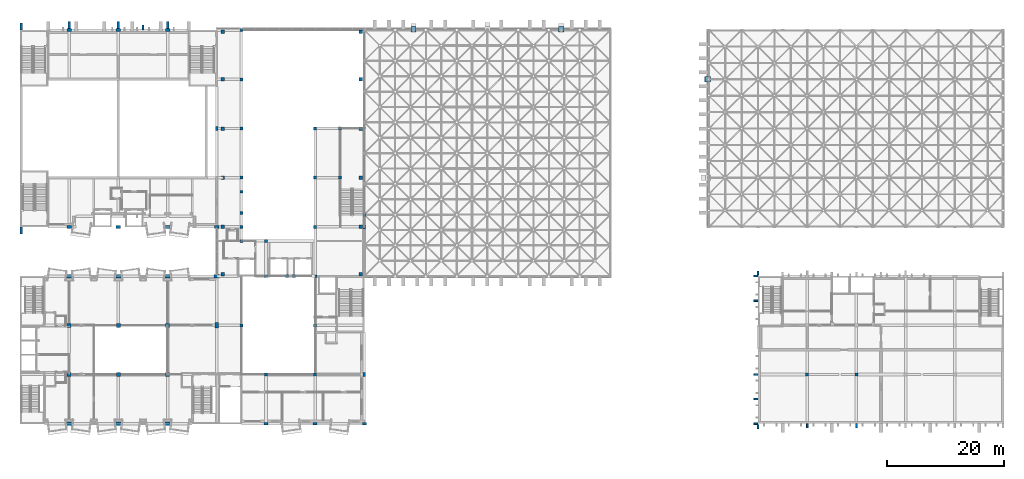
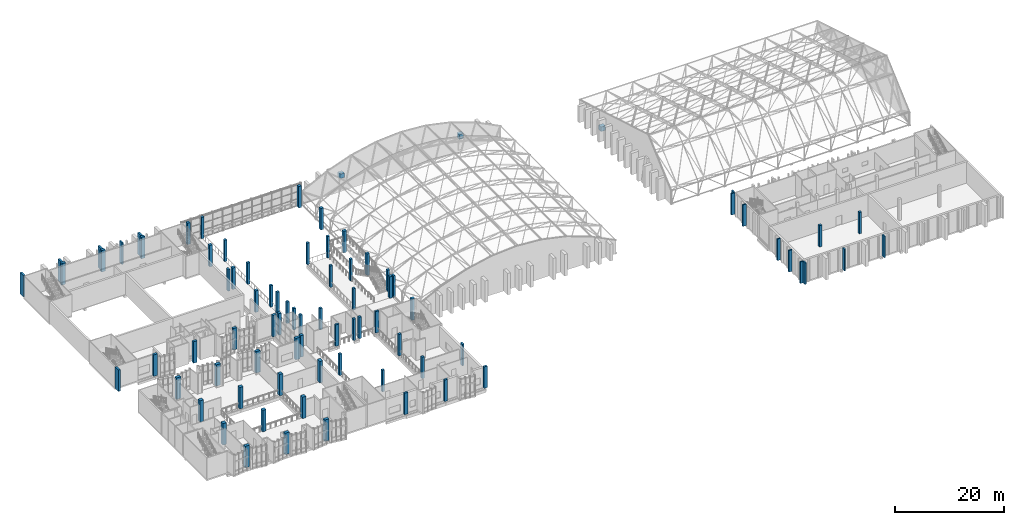
# One storey, part 1 of 100: 82 columns.
"""IFC4 building model written with IfcOpenShell, lengths in metres."""

from ifc_helpers import new_model, si_unit, direction, frame, origin, origin_2d, place, context, subcontext, project, spatial, rectangle, extrude, material, material_profile, profile_set, type_object, element, save


model = new_model("IFC4")

# Units and contexts
model_context = context("Model", 3, precision=1e-05, world=origin(), true_north=direction((0.0, 1.0)))
body_context = subcontext(model_context, "Body", "Model", "MODEL_VIEW")
ifc_project = project(units=[si_unit("LENGTHUNIT", "METRE"), si_unit("AREAUNIT", "SQUARE_METRE"), si_unit("VOLUMEUNIT", "CUBIC_METRE"), si_unit("PLANEANGLEUNIT", "RADIAN"), si_unit("MASSUNIT", "GRAM", prefix="KILO")], contexts=[model_context])

# Site, building, storey
site_placement = place(None, origin())
site = spatial("IfcSite", under=ifc_project, at=site_placement, CompositionType="ELEMENT")
building_placement = place(site_placement, origin())
building = spatial("IfcBuilding", under=site, at=building_placement, Name="Kiln Court Media Centre", CompositionType="ELEMENT")
storey_placement = place(building_placement, frame((0.0, 0.0, 15.0)))
storey = spatial("IfcBuildingStorey", under=building, at=storey_placement, Name="L03", CompositionType="ELEMENT", Elevation=15.0)

# Columns
ifc_material_1 = material(Name="Concrete C40/50", Category="concrete")
ifc_material_profile_1 = material_profile(ifc_material_1, rectangle(XDim=0.5, YDim=0.5, at=origin_2d()), Name="RC 500x500")
ifc_profile_set_1 = profile_set([ifc_material_profile_1], Name="Concrete C40/50")
column_type_1 = type_object("IfcColumnType", Name="Concrete C40/50 column 500x500", PredefinedType="COLUMN", material=ifc_profile_set_1)
for number, where, z_axis, x_axis, name in (
    (1, (42.0, 8.39990234375, 0.0), (0.0, 0.0, 1.0), (1.0, 0.0, 0.0), "L03-C-1015"),
    (2, (50.39990234375, 8.39990234375, 0.0), (0.0, 0.0, 1.0), (1.0, 0.0, 0.0), "L03-C-1017"),
    (3, (50.39990234375, 16.800048828125, 0.0), (0.0, 0.0, 1.0), (1.0, 0.0, 0.0), "L03-C-1018"),
    (4, (50.39990234375, 33.60009765625, 0.0), (0.0, 0.0, 1.0), (1.0, 0.0, 0.0), "L03-C-1031"),
    (5, (50.39990234375, 42.0, 0.0), (0.0, 0.0, 1.0), (1.0, 0.0, 0.0), "L03-C-1032"),
    (6, (50.39990234375, 50.39990234375, 0.0), (0.0, 0.0, 1.0), (1.0, 0.0, 0.0), "L03-C-1033"),
    (7, (134.39990234375, 8.39990234375, 0.0), (0.0, 0.0, 1.0), (1.0, 0.0, 0.0), "L03-C-1035"),
    (8, (142.800048828125, 8.39990234375, 0.0), (0.0, 0.0, 1.0), (1.0, 0.0, 0.0), "L03-C-1038"),
    (9, (58.800048828125, 35.64111328125, 0.0), (0.0, 0.0, 1.0), (1.0, 0.0, 0.0), "L03-C-1061"),
    (10, (37.801025390625, 16.800048828125, 0.0), (0.0, 0.0, 1.0), (1.0, 0.0, 0.0), "L03-C-1064"),
    (11, (37.800048828125, 36.0, 0.0), (0.0, 0.0, 1.0), (1.0, 0.0, 0.0), "L03-C-1065"),
    (12, (37.800048828125, 39.60009765625, 0.0), (0.0, 0.0, 1.0), (1.0, 0.0, 0.0), "L03-C-1066"),
    (13, (45.59912109375, 25.199951171875, 0.0), (0.0, 0.0, 1.0), (1.0, 0.0, 0.0), "L03-C-1067"),
    (14, (46.801025390625, 25.199951171875, 0.0), (0.0, 0.0, 1.0), (1.0, 0.0, 0.0), "L03-C-1068"),
    (15, (37.800048828125, 31.199951171875, 0.0), (0.0, 0.0, 1.0), (1.0, 0.0, 0.0), "L03-C-1069"),
    (16, (37.800048828125, 67.199951171875, 0.0), (0.0, 0.0, 1.0), (1.0, 0.0, 0.0), "L03-C-1070"),
    (17, (37.801025390625, 33.60009765625, 0.0), (0.0, 0.0, 1.0), (1.0, 0.0, 0.0), "L03-C-1071"),
    (18, (37.801025390625, 42.0, 0.0), (0.0, 0.0, 1.0), (1.0, 0.0, 0.0), "L03-C-1072"),
    (19, (37.801025390625, 50.39990234375, 0.0), (0.0, 0.0, 1.0), (1.0, 0.0, 0.0), "L03-C-1073"),
    (20, (37.801025390625, 58.800048828125, 0.0), (0.0, 0.0, 1.0), (1.0, 0.0, 0.0), "L03-C-1074"),
    (21, (42.0, 31.200927734375, 0.0), (0.0, 0.0, 1.0), (1.0, 0.0, 0.0), "L03-C-1075"),
    (22, (54.65087890625, 42.0, 0.0), (0.0, 0.0, 1.0), (1.0, 0.0, 0.0), "L03-C-1076"),
    (23, (54.65087890625, 50.39990234375, 0.0), (0.0, 0.0, 1.0), (1.0, 0.0, 0.0), "L03-C-1077"),
):
    element("IfcColumn", number, at=place(storey_placement, frame(where, z_axis=z_axis, x_axis=x_axis)), inside=storey, type_object=column_type_1, Name=name, PredefinedType="COLUMN", context=body_context, shape_type="SweptSolid", body=[
        extrude(rectangle(XDim=0.5, YDim=0.5, at=origin_2d()), origin(), (0.0, 0.0, 1.0), 4.800048828125),
    ])
ifc_material_2 = material(Name="Concrete C40/50", Category="concrete")
ifc_material_profile_2 = material_profile(ifc_material_2, rectangle(XDim=0.60009765625, YDim=0.60009765625, at=origin_2d()), Name="RC 600x600")
ifc_profile_set_2 = profile_set([ifc_material_profile_2], Name="Concrete C40/50")
column_type_2 = type_object("IfcColumnType", Name="Concrete C40/50 column 600x600", PredefinedType="COLUMN", material=ifc_profile_set_2)
for number, where, z_axis, x_axis, name in (
    (24, (34.64990234375, 25.5, 0.0), (0.0, 0.0, 1.0), (1.0, 0.0, 0.0), "L03-C-1046"),
    (25, (34.64990234375, 33.60009765625, 0.0), (0.0, 0.0, 1.0), (1.0, 0.0, 0.0), "L03-C-1047"),
    (26, (34.64990234375, 42.0, 0.0), (0.0, 0.0, 1.0), (1.0, 0.0, 0.0), "L03-C-1048"),
    (27, (34.64990234375, 50.39990234375, 0.0), (0.0, 0.0, 1.0), (1.0, 0.0, 0.0), "L03-C-1049"),
    (28, (34.64990234375, 58.800048828125, 0.0), (0.0, 0.0, 1.0), (1.0, 0.0, 0.0), "L03-C-1050"),
    (29, (34.64990234375, 66.89990234375, 0.0), (0.0, 0.0, 1.0), (1.0, 0.0, 0.0), "L03-C-1051"),
    (30, (58.14990234375, 25.5, 0.0), (0.0, 0.0, 1.0), (1.0, 0.0, 0.0), "L03-C-1052"),
    (31, (58.14990234375, 33.60009765625, 0.0), (0.0, 0.0, 1.0), (1.0, 0.0, 0.0), "L03-C-1053"),
    (32, (58.14990234375, 42.0, 0.0), (0.0, 0.0, 1.0), (1.0, 0.0, 0.0), "L03-C-1054"),
    (33, (58.14990234375, 50.39990234375, 0.0), (0.0, 0.0, 1.0), (1.0, 0.0, 0.0), "L03-C-1055"),
    (34, (58.14990234375, 58.800048828125, 0.0), (0.0, 0.0, 1.0), (1.0, 0.0, 0.0), "L03-C-1056"),
    (35, (58.14990234375, 66.89990234375, 0.0), (0.0, 0.0, 1.0), (1.0, 0.0, 0.0), "L03-C-1057"),
):
    element("IfcColumn", number, at=place(storey_placement, frame(where, z_axis=z_axis, x_axis=x_axis)), inside=storey, type_object=column_type_2, Name=name, PredefinedType="COLUMN", context=body_context, shape_type="SweptSolid", body=[
        extrude(rectangle(XDim=0.60009765625, YDim=0.60009765625, at=origin_2d()), origin(), (0.0, 0.0, 1.0), 4.800048828125),
    ])
ifc_material_3 = material(Name="Concrete C40/50", Category="concrete")
ifc_material_profile_3 = material_profile(ifc_material_3, rectangle(XDim=0.699951171875, YDim=0.39990234375, at=origin_2d()), Name="RC 700x400")
ifc_profile_set_3 = profile_set([ifc_material_profile_3], Name="Concrete C40/50")
column_type_3 = type_object("IfcColumnType", Name="Concrete C40/50 column 700x400", PredefinedType="COLUMN", material=ifc_profile_set_3)
for number, where, z_axis, x_axis, name in (
    (36, (42.0, 0.0, 0.0), (0.0, 0.0, 1.0), (1.0, 0.0, 0.0), "L03-C-1014"),
    (37, (50.39990234375, 0.0, 0.0), (0.0, 0.0, 1.0), (1.0, 0.0, 0.0), "L03-C-1016"),
    (38, (50.39990234375, 25.199951171875, 0.0), (0.0, 0.0, 1.0), (1.0, 0.0, 0.0), "L03-C-1019"),
    (39, (58.800048828125, 0.0, 0.0), (0.0, 0.0, 1.0), (1.0, 0.0, 0.0), "L03-C-1020"),
    (40, (58.800048828125, 8.39990234375, 0.0), (0.0, 0.0, 1.0), (0.0, 1.0, 0.0), "L03-C-1021"),
    (41, (33.60009765625, 50.39990234375, 0.0), (0.0, 0.0, 1.0), (0.0, 1.0, 0.0), "L03-C-1029"),
    (42, (42.0, 25.199951171875, 0.0), (0.0, 0.0, 1.0), (1.0, 0.0, 0.0), "L03-C-1030"),
    (43, (58.800048828125, 33.60009765625, 0.0), (0.0, 0.0, 1.0), (0.0, 1.0, 0.0), "L03-C-1034"),
):
    element("IfcColumn", number, at=place(storey_placement, frame(where, z_axis=z_axis, x_axis=x_axis)), inside=storey, type_object=column_type_3, Name=name, PredefinedType="COLUMN", context=body_context, shape_type="SweptSolid", body=[
        extrude(rectangle(XDim=0.699951171875, YDim=0.39990234375, at=origin_2d()), origin(), (0.0, 0.0, 1.0), 4.800048828125),
    ])
ifc_material_4 = material(Name="Concrete C40/50", Category="concrete")
ifc_material_profile_4 = material_profile(ifc_material_4, rectangle(XDim=0.699951171875, YDim=0.699951171875, at=origin_2d()), Name="RC 700x700")
ifc_profile_set_4 = profile_set([ifc_material_profile_4], Name="Concrete C40/50")
column_type_4 = type_object("IfcColumnType", Name="Concrete C40/50 column 700x700", PredefinedType="COLUMN", material=ifc_profile_set_4)
for number, where, z_axis, x_axis, name in (
    (44, (8.39990234375, 8.39990234375, 0.0), (0.0, 0.0, 1.0), (1.0, 0.0, 0.0), "L03-C-1001"),
    (45, (8.39990234375, 16.800048828125, 0.0), (0.0, 0.0, 1.0), (1.0, 0.0, 0.0), "L03-C-1002"),
    (46, (16.800048828125, 8.39990234375, 0.0), (0.0, 0.0, 1.0), (1.0, 0.0, 0.0), "L03-C-1005"),
    (47, (16.800048828125, 16.800048828125, 0.0), (0.0, 0.0, 1.0), (1.0, 0.0, 0.0), "L03-C-1006"),
    (48, (25.199951171875, 8.39990234375, 0.0), (0.0, 0.0, 1.0), (1.0, 0.0, 0.0), "L03-C-1009"),
    (49, (25.199951171875, 16.800048828125, 0.0), (0.0, 0.0, 1.0), (1.0, 0.0, 0.0), "L03-C-1010"),
):
    element("IfcColumn", number, at=place(storey_placement, frame(where, z_axis=z_axis, x_axis=x_axis)), inside=storey, type_object=column_type_4, Name=name, PredefinedType="COLUMN", context=body_context, shape_type="SweptSolid", body=[
        extrude(rectangle(XDim=0.699951171875, YDim=0.699951171875, at=origin_2d()), origin(), (0.0, 0.0, 1.0), 4.800048828125),
    ])
ifc_material_5 = material(Name="Concrete C40/50", Category="concrete")
ifc_material_profile_5 = material_profile(ifc_material_5, rectangle(XDim=0.800048828125, YDim=0.5, at=origin_2d()), Name="RC 800x500")
ifc_profile_set_5 = profile_set([ifc_material_profile_5], Name="Concrete C40/50")
column_type_5 = type_object("IfcColumnType", Name="Concrete C40/50 column 800x500", PredefinedType="COLUMN", material=ifc_profile_set_5)
for number, where, z_axis, x_axis, name in (
    (50, (8.39990234375, 33.60009765625, 0.0), (0.0, 0.0, 1.0), (1.0, 0.0, 0.0), "L03-C-1022"),
    (51, (8.39990234375, 67.199951171875, 0.0), (0.0, 0.0, 1.0), (1.0, 0.0, 0.0), "L03-C-1023"),
    (52, (16.800048828125, 33.60009765625, 0.0), (0.0, 0.0, 1.0), (1.0, 0.0, 0.0), "L03-C-1024"),
    (53, (16.800048828125, 67.199951171875, 0.0), (0.0, 0.0, 1.0), (1.0, 0.0, 0.0), "L03-C-1025"),
    (54, (25.199951171875, 33.60009765625, 0.0), (0.0, 0.0, 1.0), (1.0, 0.0, 0.0), "L03-C-1026"),
    (55, (25.199951171875, 67.199951171875, 0.0), (0.0, 0.0, 1.0), (1.0, 0.0, 0.0), "L03-C-1027"),
    (56, (33.60009765625, 33.60009765625, 0.0), (0.0, 0.0, 1.0), (1.0, 0.0, 0.0), "L03-C-1028"),
):
    element("IfcColumn", number, at=place(storey_placement, frame(where, z_axis=z_axis, x_axis=x_axis)), inside=storey, type_object=column_type_5, Name=name, PredefinedType="COLUMN", context=body_context, shape_type="SweptSolid", body=[
        extrude(rectangle(XDim=0.800048828125, YDim=0.5, at=origin_2d()), origin(), (0.0, 0.0, 1.0), 4.800048828125),
    ])
ifc_material_6 = material(Name="Concrete C40/50", Category="concrete")
ifc_material_profile_6 = material_profile(ifc_material_6, rectangle(XDim=0.89990234375, YDim=0.60009765625, at=origin_2d()), Name="RC 900x600")
ifc_profile_set_6 = profile_set([ifc_material_profile_6], Name="Concrete C40/50")
column_type_6 = type_object("IfcColumnType", Name="Concrete C40/50 column 900x600", PredefinedType="COLUMN", material=ifc_profile_set_6)
for number, where, z_axis, x_axis, name in (
    (57, (8.39990234375, 0.0, 0.0), (0.0, 0.0, 1.0), (1.0, 0.0, 0.0), "L03-C-1000"),
    (58, (8.39990234375, 25.199951171875, 0.0), (0.0, 0.0, 1.0), (1.0, 0.0, 0.0), "L03-C-1003"),
    (59, (16.800048828125, 0.0, 0.0), (0.0, 0.0, 1.0), (1.0, 0.0, 0.0), "L03-C-1004"),
    (60, (16.800048828125, 25.199951171875, 0.0), (0.0, 0.0, 1.0), (1.0, 0.0, 0.0), "L03-C-1007"),
    (61, (25.199951171875, 0.0, 0.0), (0.0, 0.0, 1.0), (1.0, 0.0, 0.0), "L03-C-1008"),
    (62, (25.199951171875, 25.199951171875, 0.0), (0.0, 0.0, 1.0), (1.0, 0.0, 0.0), "L03-C-1011"),
    (63, (33.60009765625, 16.800048828125, 0.0), (0.0, 0.0, 1.0), (0.0, 1.0, 0.0), "L03-C-1012"),
    (64, (33.60009765625, 25.199951171875, 0.0), (0.0, 0.0, 1.0), (1.0, 0.0, 0.0), "L03-C-1013"),
):
    element("IfcColumn", number, at=place(storey_placement, frame(where, z_axis=z_axis, x_axis=x_axis)), inside=storey, type_object=column_type_6, Name=name, PredefinedType="COLUMN", context=body_context, shape_type="SweptSolid", body=[
        extrude(rectangle(XDim=0.89990234375, YDim=0.60009765625, at=origin_2d()), origin(), (0.0, 0.0, 1.0), 4.800048828125),
    ])
ifc_material_7 = material(Name="Concrete C40/50", Category="concrete")
ifc_material_profile_7 = material_profile(ifc_material_7, rectangle(XDim=0.89990234375, YDim=0.89990234375, at=origin_2d()), Name="RC 900x900")
ifc_profile_set_7 = profile_set([ifc_material_profile_7], Name="Concrete C40/50")
column_type_7 = type_object("IfcColumnType", Name="Concrete C40/50 column 900x900", PredefinedType="COLUMN", material=ifc_profile_set_7)
for number, where, z_axis, x_axis, name in (
    (65, (67.199951171875, 67.355712890625, 3.253662109375), (0.0, 0.0, 1.0), (1.0, 0.0, 0.0), "L03-C-1058"),
    (66, (92.39990234375, 67.355712890625, 3.253662109375), (0.0, 0.0, 1.0), (1.0, 0.0, 0.0), "L03-C-1059"),
    (67, (117.42724609375, 58.800048828125, 1.3701171875), (0.0, 0.0, 1.0), (1.0, 0.0, 0.0), "L03-C-1060"),
):
    element("IfcColumn", number, at=place(storey_placement, frame(where, z_axis=z_axis, x_axis=x_axis)), inside=storey, type_object=column_type_7, Name=name, PredefinedType="COLUMN", context=body_context, shape_type="SweptSolid", body=[
        extrude(rectangle(XDim=0.89990234375, YDim=0.89990234375, at=origin_2d()), origin(), (0.0, 0.0, 1.0), 1.0),
    ])
ifc_material_8 = material(Name="Concrete C40/50", Category="concrete")
ifc_material_profile_8 = material_profile(ifc_material_8, rectangle(XDim=0.300048828125, YDim=0.699951171875, at=origin_2d()), Name="RC 300x700")
ifc_profile_set_8 = profile_set([ifc_material_profile_8], Name="Concrete C40/50")
column_type_8 = type_object("IfcColumnType", Name="Concrete C40/50 pilaster rib 300x700", PredefinedType="PILASTER", material=ifc_profile_set_8)
for number, where, z_axis, x_axis, name in (
    (68, (126.0, -0.5, 0.0), (0.0, 0.0, 1.0), (1.0, 0.0, 0.0), "V5 S rib L03"),
    (69, (134.39990234375, -0.35009765625, 0.0), (0.0, 0.0, 1.0), (1.0, 0.0, 0.0), "V5 S rib L03"),
    (70, (142.800048828125, -0.35009765625, 0.0), (0.0, 0.0, 1.0), (1.0, 0.0, 0.0), "V5 S rib L03"),
    (71, (126.0, 25.699951171875, 0.0), (0.0, 0.0, 1.0), (1.0, 0.0, 0.0), "V5 N rib L03"),
    (72, (125.64990234375, 0.0, 0.0), (0.0, 0.0, 1.0), (0.0, 1.0, 0.0), "V5 W rib L03"),
    (73, (125.64990234375, 4.199951171875, 0.0), (0.0, 0.0, 1.0), (0.0, 1.0, 0.0), "V5 W rib L03"),
    (74, (125.64990234375, 8.39990234375, 0.0), (0.0, 0.0, 1.0), (0.0, 1.0, 0.0), "V5 W rib L03"),
    (75, (125.64990234375, 21.0, 0.0), (0.0, 0.0, 1.0), (0.0, 1.0, 0.0), "V5 W rib L03"),
    (76, (125.64990234375, 25.199951171875, 0.0), (0.0, 0.0, 1.0), (0.0, 1.0, 0.0), "V5 W rib L03"),
):
    element("IfcColumn", number, at=place(storey_placement, frame(where, z_axis=z_axis, x_axis=x_axis)), inside=storey, type_object=column_type_8, Name=name, PredefinedType="PILASTER", context=body_context, shape_type="SweptSolid", body=[
        extrude(rectangle(XDim=0.300048828125, YDim=0.699951171875, at=origin_2d()), origin(), (0.0, 0.0, 1.0), 4.800048828125),
    ])
ifc_material_9 = material(Name="Concrete C40/50", Category="concrete")
ifc_material_profile_9 = material_profile(ifc_material_9, rectangle(XDim=0.35009765625, YDim=0.89990234375, at=origin_2d()), Name="RC 350x900")
ifc_profile_set_9 = profile_set([ifc_material_profile_9], Name="Concrete C40/50")
column_type_9 = type_object("IfcColumnType", Name="Concrete C40/50 pilaster rib 350x900", PredefinedType="PILASTER", material=ifc_profile_set_9)
column_placement = place(storey_placement, frame((21.0, 67.64990234375, 0.0), z_axis=(0.0, 0.0, 1.0), x_axis=(1.0, 0.0, 0.0)))
element("IfcColumn", 77, at=column_placement, inside=storey, type_object=column_type_9, Name="V4 N rib L03", PredefinedType="PILASTER", context=body_context, shape_type="SweptSolid", body=[
    extrude(rectangle(XDim=0.35009765625, YDim=0.89990234375, at=origin_2d()), origin(), (0.0, 0.0, 1.0), 4.800048828125),
])
ifc_material_10 = material(Name="Concrete C40/50", Category="concrete")
ifc_material_profile_10 = material_profile(ifc_material_10, rectangle(XDim=0.39990234375, YDim=1.199951171875, at=origin_2d()), Name="RC 400x1200")
ifc_profile_set_10 = profile_set([ifc_material_profile_10], Name="Concrete C40/50")
column_type_10 = type_object("IfcColumnType", Name="Concrete C40/50 pilaster rib 400x1200", PredefinedType="PILASTER", material=ifc_profile_set_10)
for number, where, z_axis, x_axis, name in (
    (78, (0.199951171875, 33.0, 0.0), (0.0, 0.0, 1.0), (1.0, 0.0, 0.0), "V4 S rib L03"),
    (79, (0.199951171875, 67.800048828125, 0.0), (0.0, 0.0, 1.0), (1.0, 0.0, 0.0), "V4 N rib L03"),
    (80, (8.39990234375, 68.050048828125, 0.0), (0.0, 0.0, 1.0), (1.0, 0.0, 0.0), "V4 N rib L03"),
    (81, (16.800048828125, 68.050048828125, 0.0), (0.0, 0.0, 1.0), (1.0, 0.0, 0.0), "V4 N rib L03"),
    (82, (25.199951171875, 68.050048828125, 0.0), (0.0, 0.0, 1.0), (1.0, 0.0, 0.0), "V4 N rib L03"),
):
    element("IfcColumn", number, at=place(storey_placement, frame(where, z_axis=z_axis, x_axis=x_axis)), inside=storey, type_object=column_type_10, Name=name, PredefinedType="PILASTER", context=body_context, shape_type="SweptSolid", body=[
        extrude(rectangle(XDim=0.39990234375, YDim=1.199951171875, at=origin_2d()), origin(), (0.0, 0.0, 1.0), 4.800048828125),
    ])

save(model, "model.ifc")
